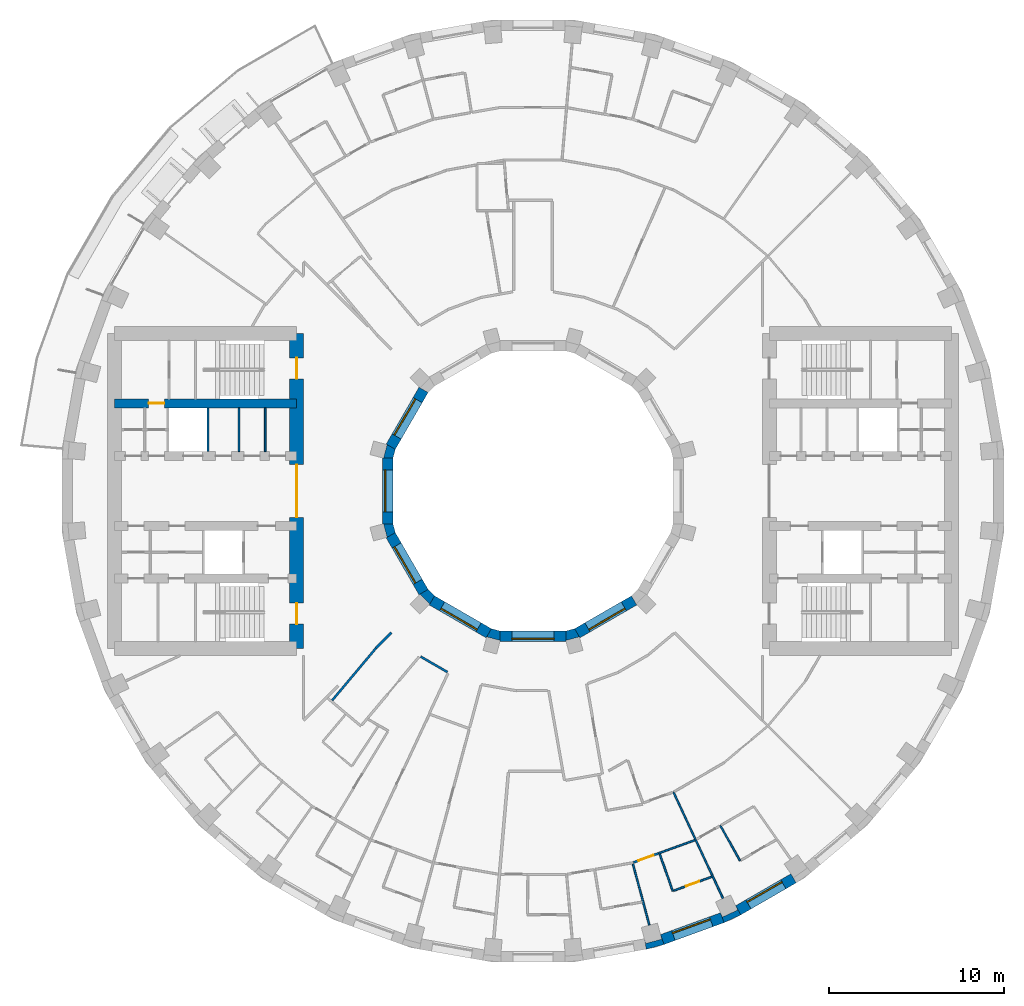
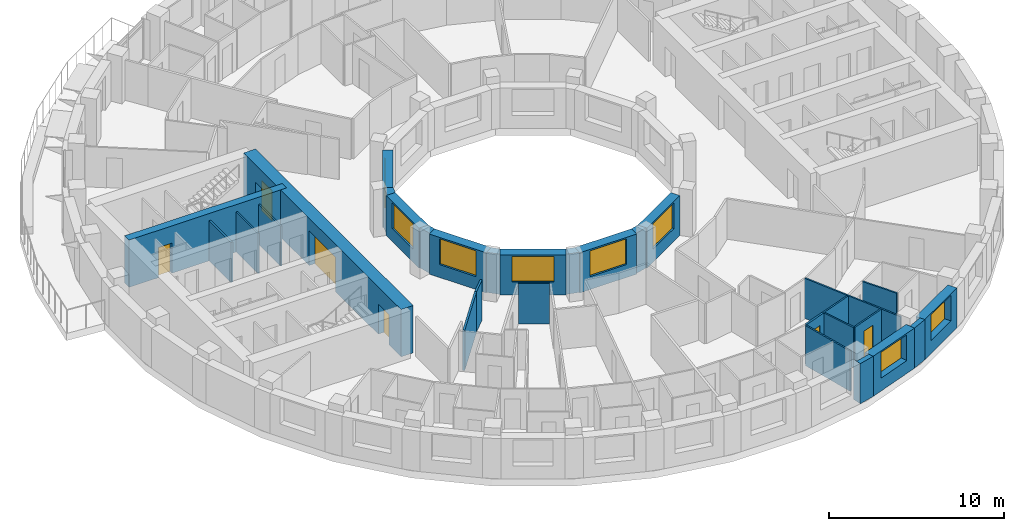
# One storey, part 7 of 14: 30 walls, 8 windows, 6 doors, 14 openings.
"""IFC4 building model written with IfcOpenShell, lengths in metres."""

import ifcopenshell
import ifcopenshell.guid

model = None  # the IFC model being written
_history = None  # IfcOwnerHistory: only IFC2X3 demands one
_inside = {}  # id of a spatial element -> (the spatial element, [elements in it])
_under = {}  # id of a project, library or spatial element -> (it, [spatial elements below it])
_declared = {}  # id of a project -> (the project, [libraries it declares])
_typed = {}  # id of a type object -> (the type object, [elements of that type])
_made_of = {}  # id of a material, layer set ... -> (it, [elements and type objects made of it])


def new_model(schema):
    """Start an empty IFC model of exactly this schema.

    Asked for "IFC4X3", IfcOpenShell would pick the latest addendum, in which some entities
    have other attributes; the version numbers below select the first issue.
    IFC2X3 requires an IfcOwnerHistory on every rooted entity: one is made here for all.
    """
    global model, _history
    if schema == "IFC4X3":
        model = ifcopenshell.file(schema_version=(4, 3, 0, 0))
    else:
        model = ifcopenshell.file(schema=schema)
    _inside.clear()
    _under.clear()
    _declared.clear()
    _typed.clear()
    _made_of.clear()
    _history = None
    if model.schema == "IFC2X3":
        org = make("IfcOrganization", Name="unknown")
        user = make(
            "IfcPersonAndOrganization",
            ThePerson=make("IfcPerson", FamilyName="unknown"),
            TheOrganization=org,
        )
        app = make(
            "IfcApplication",
            ApplicationDeveloper=org,
            Version="unknown",
            ApplicationFullName="unknown",
            ApplicationIdentifier="unknown",
        )
        _history = make(
            "IfcOwnerHistory",
            OwningUser=user,
            OwningApplication=app,
            ChangeAction="ADDED",
            CreationDate=0,
        )
    return model


def make(cls, **values):
    """One entity of the class cls with the attributes given. An attribute that is None is left unset."""
    return model.create_entity(
        cls, **{name: value for name, value in values.items() if value is not None}
    )


def rooted(cls, **values):
    """An entity with a GlobalId (a new one), such as an element, a storey or a relation."""
    return make(cls, GlobalId=ifcopenshell.guid.new(), OwnerHistory=_history, **values)


def si_unit(unit_type, name, prefix=None):
    """IfcSIUnit, for example si_unit("LENGTHUNIT", "METRE", prefix="MILLI")."""
    return make("IfcSIUnit", UnitType=unit_type, Prefix=prefix, Name=name)


def assignment(units):
    """IfcUnitAssignment: the units of a project."""
    return None if units is None else make("IfcUnitAssignment", Units=units)


def point(xyz):
    """IfcCartesianPoint."""
    return None if xyz is None else make("IfcCartesianPoint", Coordinates=xyz)


def direction(xyz):
    """IfcDirection."""
    return None if xyz is None else make("IfcDirection", DirectionRatios=xyz)


def frame(location, z_axis=None, x_axis=None):
    """IfcAxis2Placement3D, a coordinate frame: its origin and axes. An axis left out is left unset."""
    return make(
        "IfcAxis2Placement3D",
        Location=point(location),
        Axis=direction(z_axis),
        RefDirection=direction(x_axis),
    )


def frame_2d(location, x_axis=None):
    """IfcAxis2Placement2D, a coordinate frame in the plane: its origin and x axis."""
    return make(
        "IfcAxis2Placement2D", Location=point(location), RefDirection=direction(x_axis)
    )


def origin():
    """The frame at (0, 0, 0) with its axes left unset."""
    return frame((0.0, 0.0, 0.0))


def place(relative_to, where):
    """IfcLocalPlacement: puts the frame where relative to a parent placement (None: the world)."""
    return make(
        "IfcLocalPlacement", PlacementRelTo=relative_to, RelativePlacement=where
    )


def context(
    kind, dimensions, precision=None, world=None, true_north=None, identifier=None
):
    """IfcGeometricRepresentationContext, for example the 3D "Model" context."""
    return make(
        "IfcGeometricRepresentationContext",
        ContextIdentifier=identifier,
        ContextType=kind,
        CoordinateSpaceDimension=dimensions,
        Precision=precision,
        WorldCoordinateSystem=world,
        TrueNorth=true_north,
    )


def subcontext(parent, identifier, kind, view, scale=None):
    """IfcGeometricRepresentationSubContext, for example "Body" below "Model"."""
    return make(
        "IfcGeometricRepresentationSubContext",
        ContextIdentifier=identifier,
        ContextType=kind,
        ParentContext=parent,
        TargetScale=scale,
        TargetView=view,
    )


def project(units=None, contexts=None):
    """IfcProject with its units and contexts."""
    return rooted(
        "IfcProject",
        Name="project",
        RepresentationContexts=contexts,
        UnitsInContext=assignment(units),
    )


def spatial(cls, under=None, at=None, **own):
    """A site, building, storey or space (cls), placed at a placement, below another one or the project."""
    s = rooted(cls, ObjectPlacement=at, **own)
    if under is not None:
        _under.setdefault(under.id(), (under, []))[1].append(s)
    return s


def polyline(points):
    """IfcPolyline through the points."""
    return make("IfcPolyline", Points=[point(p) for p in points])


def profile(cls, at=None, kind="AREA", **sizes):
    """A parametric profile (cls). Its sizes go by their IFC names, for example OverallWidth=200.0."""
    return make(cls, ProfileType=kind, Position=at, **sizes)


def rectangle(**sizes):
    """IfcRectangleProfileDef."""
    return profile("IfcRectangleProfileDef", **sizes)


def outline(outer, holes=None, kind="AREA"):
    """IfcArbitraryClosedProfileDef: a profile drawn as a closed curve; with holes, ...WithVoids."""
    if holes is None:
        return make("IfcArbitraryClosedProfileDef", ProfileType=kind, OuterCurve=outer)
    return make(
        "IfcArbitraryProfileDefWithVoids",
        ProfileType=kind,
        OuterCurve=outer,
        InnerCurves=holes,
    )


def extrude(swept, where, along, depth):
    """IfcExtrudedAreaSolid: the profile swept, set in the frame where, extruded along a direction by depth."""
    return make(
        "IfcExtrudedAreaSolid",
        SweptArea=swept,
        Position=where,
        ExtrudedDirection=direction(along),
        Depth=depth,
    )


def shape(context_of_items, identifier, shape_type, items):
    """IfcShapeRepresentation: the items that make up one representation, for example the "Body"."""
    return make(
        "IfcShapeRepresentation",
        ContextOfItems=context_of_items,
        RepresentationIdentifier=identifier,
        RepresentationType=shape_type,
        Items=items,
    )


def material(Name=None, Category=None):
    """IfcMaterial."""
    return make("IfcMaterial", Name=Name, Category=Category)


def layer(
    of_material, thickness, ventilated=None, Name=None, Category=None, Priority=None
):
    """IfcMaterialLayer: one layer of a wall or slab, of a material (None: an air gap)."""
    return make(
        "IfcMaterialLayer",
        Material=of_material,
        LayerThickness=thickness,
        IsVentilated=ventilated,
        Name=Name,
        Category=Category,
        Priority=Priority,
    )


def layer_set(layers, Name=None):
    """IfcMaterialLayerSet."""
    return make("IfcMaterialLayerSet", MaterialLayers=layers, LayerSetName=Name)


def made_of(thing, what):
    """Note that an element or type object is made of a material, layer set ...; save() writes the relation."""
    if what is not None:
        _made_of.setdefault(what.id(), (what, []))[1].append(thing)
    return thing


def type_object(cls, material=None, **own):
    """A type object (cls), such as IfcWallType, which elements share."""
    return made_of(rooted(cls, **own), material)


def element(
    cls,
    number,
    at=None,
    inside=None,
    cuts=None,
    type_object=None,
    material=None,
    context=None,
    identifier="Body",
    shape_type=None,
    held_by="IfcProductDefinitionShape",
    body=None,
    shapes=None,
    **own,
):
    """One element of the class cls, such as IfcWall. Its Tag is "e" and its number.

    at: its placement. inside: the storey or other place that contains it. cuts: it is an
    opening in that element (IfcRelVoidsElement). A single representation is given by context,
    identifier, shape_type and body (its items); several are given by shapes. held_by: the class
    of the entity that holds the representations. save() writes the other relations.
    """
    e = rooted(cls, Tag="e%d" % number, ObjectPlacement=at, **own)
    if body is not None:
        shapes = [shape(context, identifier, shape_type, body)]
    if shapes is not None:
        e.Representation = make(held_by, Representations=shapes)
    if inside is not None:
        _inside.setdefault(inside.id(), (inside, []))[1].append(e)
    if cuts is not None:
        rooted(
            "IfcRelVoidsElement", RelatingBuildingElement=cuts, RelatedOpeningElement=e
        )
    if type_object is not None:
        _typed.setdefault(type_object.id(), (type_object, []))[1].append(e)
    return made_of(e, material)


def fill(opening, filler):
    """IfcRelFillsElement: the door or window that sits in an opening."""
    return rooted(
        "IfcRelFillsElement",
        RelatingOpeningElement=opening,
        RelatedBuildingElement=filler,
    )


def aggregate(whole, parts):
    """IfcRelAggregates: a whole, such as a stair, and the parts it consists of."""
    return rooted("IfcRelAggregates", RelatingObject=whole, RelatedObjects=parts)


def save(model, path):
    """Write the relations noted so far, then the file.

    IfcRelAggregates (storeys below a building ...), IfcRelContainedInSpatialStructure (elements
    in a storey), IfcRelDefinesByType, IfcRelAssociatesMaterial and IfcRelDeclares: one each for
    every whole, place, type object, material and project.
    """
    for whole, parts in _under.values():
        aggregate(whole, parts)
    for where, things in _inside.values():
        rooted(
            "IfcRelContainedInSpatialStructure",
            RelatedElements=things,
            RelatingStructure=where,
        )
    for kind, things in _typed.values():
        rooted("IfcRelDefinesByType", RelatedObjects=things, RelatingType=kind)
    for what, things in _made_of.values():
        rooted("IfcRelAssociatesMaterial", RelatedObjects=things, RelatingMaterial=what)
    for by, libraries in _declared.values():
        rooted("IfcRelDeclares", RelatingContext=by, RelatedDefinitions=libraries)
    model.write(path)


model = new_model("IFC4")

# Units and contexts
model_context = context("Model", 3, precision=1e-05, world=origin(), true_north=direction((0.0, 1.0)))
body_context = subcontext(model_context, "Body", "Model", "MODEL_VIEW")
ifc_project = project(units=[si_unit("LENGTHUNIT", "METRE"), si_unit("AREAUNIT", "SQUARE_METRE"), si_unit("VOLUMEUNIT", "CUBIC_METRE"), si_unit("PLANEANGLEUNIT", "RADIAN"), si_unit("MASSUNIT", "GRAM", prefix="KILO")], contexts=[model_context])

# Site, building, storey
site_placement = place(None, origin())
site = spatial("IfcSite", under=ifc_project, at=site_placement, CompositionType="ELEMENT")
building_placement = place(site_placement, origin())
building = spatial("IfcBuilding", under=site, at=building_placement, Name="Saqina Gate Tower", CompositionType="ELEMENT")
storey_placement = place(building_placement, frame((0.0, 0.0, 105.10009765625)))
storey = spatial("IfcBuildingStorey", under=building, at=storey_placement, Name="L29", CompositionType="ELEMENT", Elevation=105.10009765625)

# Walls
ifc_material_1 = material(Name="Brick masonry (buff)", Category="masonry")
wall_type_1 = type_object("IfcWallType", Name="BRICK PIER COPING BUFF", PredefinedType="SOLIDWALL", material=ifc_material_1)
wall_1_placement = place(storey_placement, origin())
element("IfcWall", 1, at=wall_1_placement, inside=storey, type_object=wall_type_1, Name="Pier cap L29 column 29", PredefinedType="SOLIDWALL", context=body_context, shape_type="SweptSolid", body=[
    extrude(outline(polyline([(6.466796875, -26.171875), (7.485595703125, -25.89892578125), (7.2802734375, -25.335205078125), (7.349853515625, -25.5947265625), (6.43212890625, -25.8408203125), (6.36279296875, -25.5810546875), (6.466796875, -26.171875)])), origin(), (0.0, 0.0, 1.0), 2.7998046875),
])
wall_2_placement = place(storey_placement, origin())
element("IfcWall", 2, at=wall_2_placement, inside=storey, type_object=wall_type_1, Name="Pier cap L29 column 30", PredefinedType="SOLIDWALL", context=body_context, shape_type="SweptSolid", body=[
    extrude(outline(polyline([(10.913330078125, -24.6513671875), (11.869140625, -24.205810546875), (11.569091796875, -23.68603515625), (11.6826171875, -23.9296875), (10.82177734375, -24.331298828125), (10.7080078125, -24.08740234375), (10.913330078125, -24.6513671875)])), origin(), (0.0, 0.0, 1.0), 2.7998046875),
])
ifc_material_2 = material(Name="Gypsum board on steel studs", Category="steel")
ifc_layer_1 = layer(ifc_material_2, 0.10009765625)
ifc_layer_set_1 = layer_set([ifc_layer_1], Name="CORE PARTITION")
wall_type_2 = type_object("IfcWallType", Name="CORE PARTITION", PredefinedType="PARTITIONING", material=ifc_layer_set_1)
for number, where, z_axis, x_axis, name in (
    (3, (-15.298095703125, 2.25, 0.0), (0.0, 0.0, 1.0), (0.0, 1.0, 0.0), "L29-CP-W01"),
    (4, (-16.789306640625, 2.25, 0.0), (0.0, 0.0, 1.0), (0.0, 1.0, 0.0), "L29-CP-W02"),
):
    element("IfcWall", number, at=place(storey_placement, frame(where, z_axis=z_axis, x_axis=x_axis)), inside=storey, type_object=wall_type_2, Name=name, PredefinedType="PARTITIONING", context=body_context, shape_type="SweptSolid", body=[
        extrude(rectangle(XDim=2.5, YDim=0.10009765625, at=frame_2d((1.25, 0.0))), origin(), (0.0, 0.0, 1.0), 2.7998046875),
    ])

# Wall, opening, window
ifc_material_3 = material(Name="Brick masonry (buff)", Category="masonry")
ifc_layer_2 = layer(ifc_material_3, 0.60009765625)
ifc_layer_set_2 = layer_set([ifc_layer_2], Name="FW-BRICK-BUFF")
wall_type_3 = type_object("IfcWallType", Name="FW-BRICK-BUFF", PredefinedType="SOLIDWALL", material=ifc_layer_set_2)
wall_3_placement = place(storey_placement, frame((7.3828125, -25.616943359375, 0.0), z_axis=(0.0, 0.0, 1.0), x_axis=(0.939703505393, 0.341990236633, 0.0)))
wall_3 = element("IfcWall", 5, at=wall_3_placement, inside=storey, type_object=wall_type_3, Name="Facade wall L29 facet 29", PredefinedType="SOLIDWALL", context=body_context, shape_type="SweptSolid", body=[
    extrude(rectangle(XDim=3.64794921875, YDim=0.60009765625, at=frame_2d((1.823974609375, 0.0))), origin(), (0.0, 0.0, 1.0), 2.7998046875),
])
opening_1_placement = place(wall_3_placement, frame((0.673828125, 0.0, 0.89990234375)))
opening_1 = element("IfcOpeningElement", 6, at=opening_1_placement, cuts=wall_3, Name="Opening G08-W18", PredefinedType="OPENING", context=body_context, shape_type="SweptSolid", body=[
    extrude(rectangle(XDim=2.300048828125, YDim=1.800048828125, at=frame_2d((1.14990234375, 0.89990234375))), frame((0.0, 0.31201171875, 0.0), z_axis=(0.0, -1.0, 0.0), x_axis=(1.0, 0.0, 0.0)), (0.0, 0.0, 1.0), 0.6240234375),
])
ifc_material_4 = material(Name="Aluminium glazing", Category="aluminium")
window_type_1 = type_object("IfcWindowType", Name="WN-B", PartitioningType="SINGLE_PANEL", PredefinedType="WINDOW", material=ifc_material_4)
window_1_placement = place(opening_1_placement, origin())
window_1 = element("IfcWindow", 7, at=window_1_placement, inside=storey, type_object=window_type_1, Name="Window L29 facet 29", OverallHeight=1.800048828125, OverallWidth=2.300048828125, PartitioningType="SINGLE_PANEL", PredefinedType="WINDOW", context=body_context, shape_type="SweptSolid", body=[
    extrude(rectangle(XDim=2.300048828125, YDim=1.800048828125, at=frame_2d((1.14990234375, 0.89990234375))), frame((0.0, 0.179931640625, 0.0), z_axis=(0.0, -1.0, 0.0), x_axis=(1.0, 0.0, 0.0)), (0.0, 0.0, 1.0), 0.06005859375),
])
fill(opening_1, window_1)

wall_4_placement = place(storey_placement, frame((11.718994140625, -23.94580078125, 0.0), z_axis=(0.0, 0.0, 1.0), x_axis=(0.866051847062, 0.499954196102, 0.0)))
wall_4 = element("IfcWall", 8, at=wall_4_placement, inside=storey, type_object=wall_type_3, Name="Facade wall L29 facet 30", PredefinedType="SOLIDWALL", context=body_context, shape_type="SweptSolid", body=[
    extrude(rectangle(XDim=3.647705078125, YDim=0.60009765625, at=frame_2d((1.82373046875, 0.0))), origin(), (0.0, 0.0, 1.0), 2.7998046875),
])
opening_2_placement = place(wall_4_placement, frame((0.673828125, 0.0, 0.89990234375)))
opening_2 = element("IfcOpeningElement", 9, at=opening_2_placement, cuts=wall_4, Name="Opening G08-W19", PredefinedType="OPENING", context=body_context, shape_type="SweptSolid", body=[
    extrude(rectangle(XDim=2.300048828125, YDim=1.800048828125, at=frame_2d((1.14990234375, 0.89990234375))), frame((0.0, 0.31201171875, 0.0), z_axis=(0.0, -1.0, 0.0), x_axis=(1.0, 0.0, 0.0)), (0.0, 0.0, 1.0), 0.6240234375),
])
window_2_placement = place(opening_2_placement, origin())
window_2 = element("IfcWindow", 10, at=window_2_placement, inside=storey, type_object=window_type_1, Name="Window L29 facet 30", OverallHeight=1.800048828125, OverallWidth=2.300048828125, PartitioningType="SINGLE_PANEL", PredefinedType="WINDOW", context=body_context, shape_type="SweptSolid", body=[
    extrude(rectangle(XDim=2.300048828125, YDim=1.800048828125, at=frame_2d((1.14990234375, 0.89990234375))), frame((0.0, 0.179931640625, 0.0), z_axis=(0.0, -1.0, 0.0), x_axis=(1.0, 0.0, 0.0)), (0.0, 0.0, 1.0), 0.06005859375),
])
fill(opening_2, window_2)

ifc_material_5 = material(Name="Glazed ceramic tile", Category="ceramic")
ifc_layer_3 = layer(ifc_material_5, 0.60009765625)
ifc_layer_set_3 = layer_set([ifc_layer_3], Name="IW-TILE")
wall_type_4 = type_object("IfcWallType", Name="IW-TILE", PredefinedType="SOLIDWALL", material=ifc_layer_set_3)
wall_5_placement = place(storey_placement, frame((-6.251220703125, 5.772705078125, 0.0), z_axis=(0.0, 0.0, 1.0), x_axis=(-0.499964958637, -0.86604563398, 0.0)))
wall_5 = element("IfcWall", 11, at=wall_5_placement, inside=storey, type_object=wall_type_4, Name="Well wall L29 facet 5", PredefinedType="SOLIDWALL", context=body_context, shape_type="SweptSolid", body=[
    extrude(rectangle(XDim=3.747314453125, YDim=0.60009765625, at=frame_2d((1.87353515625, 0.0))), origin(), (0.0, 0.0, 1.0), 2.7998046875),
])
opening_3_placement = place(wall_5_placement, frame((0.673583984375, 0.0, 0.89990234375)))
opening_3 = element("IfcOpeningElement", 12, at=opening_3_placement, cuts=wall_5, Name="Opening G08-W27", PredefinedType="OPENING", context=body_context, shape_type="SweptSolid", body=[
    extrude(rectangle(XDim=2.39990234375, YDim=1.800048828125, at=frame_2d((1.199951171875, 0.89990234375))), frame((0.0, 0.31201171875, 0.0), z_axis=(0.0, -1.0, 0.0), x_axis=(1.0, 0.0, 0.0)), (0.0, 0.0, 1.0), 0.6240234375),
])
ifc_material_6 = material(Name="Aluminium glazing", Category="aluminium")
window_type_2 = type_object("IfcWindowType", Name="WN-W", PartitioningType="SINGLE_PANEL", PredefinedType="WINDOW", material=ifc_material_6)
window_3_placement = place(opening_3_placement, origin())
window_3 = element("IfcWindow", 13, at=window_3_placement, inside=storey, type_object=window_type_2, Name="Well window L29 facet 5", OverallHeight=1.800048828125, OverallWidth=2.39990234375, PartitioningType="SINGLE_PANEL", PredefinedType="WINDOW", context=body_context, shape_type="SweptSolid", body=[
    extrude(rectangle(XDim=2.39990234375, YDim=1.800048828125, at=frame_2d((1.199951171875, 0.89990234375))), frame((0.0, -0.119873046875, 0.0), z_axis=(0.0, -1.0, 0.0), x_axis=(1.0, 0.0, 0.0)), (0.0, 0.0, 1.0), 0.06005859375),
])
fill(opening_3, window_3)

wall_6_placement = place(storey_placement, frame((-8.300048828125, 1.873779296875, 0.0), z_axis=(0.0, 0.0, 1.0), x_axis=(0.0, -1.0, 0.0)))
wall_6 = element("IfcWall", 14, at=wall_6_placement, inside=storey, type_object=wall_type_4, Name="Well wall L29 facet 6", PredefinedType="SOLIDWALL", context=body_context, shape_type="SweptSolid", body=[
    extrude(rectangle(XDim=3.74755859375, YDim=0.60009765625, at=frame_2d((1.873779296875, 0.0))), origin(), (0.0, 0.0, 1.0), 2.7998046875),
])
opening_4_placement = place(wall_6_placement, frame((0.673583984375, 0.0, 0.89990234375)))
opening_4 = element("IfcOpeningElement", 15, at=opening_4_placement, cuts=wall_6, Name="Opening G08-W28", PredefinedType="OPENING", context=body_context, shape_type="SweptSolid", body=[
    extrude(rectangle(XDim=2.39990234375, YDim=1.800048828125, at=frame_2d((1.199951171875, 0.89990234375))), frame((0.0, 0.31201171875, 0.0), z_axis=(0.0, -1.0, 0.0), x_axis=(1.0, 0.0, 0.0)), (0.0, 0.0, 1.0), 0.6240234375),
])
window_4_placement = place(opening_4_placement, origin())
window_4 = element("IfcWindow", 16, at=window_4_placement, inside=storey, type_object=window_type_2, Name="Well window L29 facet 6", OverallHeight=1.800048828125, OverallWidth=2.39990234375, PartitioningType="SINGLE_PANEL", PredefinedType="WINDOW", context=body_context, shape_type="SweptSolid", body=[
    extrude(rectangle(XDim=2.39990234375, YDim=1.800048828125, at=frame_2d((1.199951171875, 0.89990234375))), frame((0.0, -0.119873046875, 0.0), z_axis=(0.0, -1.0, 0.0), x_axis=(1.0, 0.0, 0.0)), (0.0, 0.0, 1.0), 0.06005859375),
])
fill(opening_4, window_4)

wall_7_placement = place(storey_placement, frame((-8.124755859375, -2.52734375, 0.0), z_axis=(0.0, 0.0, 1.0), x_axis=(0.499964958637, -0.86604563398, 0.0)))
wall_7 = element("IfcWall", 17, at=wall_7_placement, inside=storey, type_object=wall_type_4, Name="Well wall L29 facet 7", PredefinedType="SOLIDWALL", context=body_context, shape_type="SweptSolid", body=[
    extrude(rectangle(XDim=3.747314453125, YDim=0.60009765625, at=frame_2d((1.87353515625, 0.0))), origin(), (0.0, 0.0, 1.0), 2.7998046875),
])
opening_5_placement = place(wall_7_placement, frame((0.673583984375, 0.0, 0.89990234375)))
opening_5 = element("IfcOpeningElement", 18, at=opening_5_placement, cuts=wall_7, Name="Opening G08-W29", PredefinedType="OPENING", context=body_context, shape_type="SweptSolid", body=[
    extrude(rectangle(XDim=2.39990234375, YDim=1.800048828125, at=frame_2d((1.199951171875, 0.89990234375))), frame((0.0, 0.31201171875, 0.0), z_axis=(0.0, -1.0, 0.0), x_axis=(1.0, 0.0, 0.0)), (0.0, 0.0, 1.0), 0.6240234375),
])
window_5_placement = place(opening_5_placement, origin())
window_5 = element("IfcWindow", 19, at=window_5_placement, inside=storey, type_object=window_type_2, Name="Well window L29 facet 7", OverallHeight=1.800048828125, OverallWidth=2.39990234375, PartitioningType="SINGLE_PANEL", PredefinedType="WINDOW", context=body_context, shape_type="SweptSolid", body=[
    extrude(rectangle(XDim=2.39990234375, YDim=1.800048828125, at=frame_2d((1.199951171875, 0.89990234375))), frame((0.0, -0.119873046875, 0.0), z_axis=(0.0, -1.0, 0.0), x_axis=(1.0, 0.0, 0.0)), (0.0, 0.0, 1.0), 0.06005859375),
])
fill(opening_5, window_5)

wall_8_placement = place(storey_placement, frame((-5.772705078125, -6.251220703125, 0.0), z_axis=(0.0, 0.0, 1.0), x_axis=(0.86604563398, -0.499964958637, 0.0)))
wall_8 = element("IfcWall", 20, at=wall_8_placement, inside=storey, type_object=wall_type_4, Name="Well wall L29 facet 8", PredefinedType="SOLIDWALL", context=body_context, shape_type="SweptSolid", body=[
    extrude(rectangle(XDim=3.747314453125, YDim=0.60009765625, at=frame_2d((1.87353515625, 0.0))), origin(), (0.0, 0.0, 1.0), 2.7998046875),
])
opening_6_placement = place(wall_8_placement, frame((0.673583984375, 0.0, 0.89990234375)))
opening_6 = element("IfcOpeningElement", 21, at=opening_6_placement, cuts=wall_8, Name="Opening G08-W30", PredefinedType="OPENING", context=body_context, shape_type="SweptSolid", body=[
    extrude(rectangle(XDim=2.39990234375, YDim=1.800048828125, at=frame_2d((1.199951171875, 0.89990234375))), frame((0.0, 0.31201171875, 0.0), z_axis=(0.0, -1.0, 0.0), x_axis=(1.0, 0.0, 0.0)), (0.0, 0.0, 1.0), 0.6240234375),
])
window_6_placement = place(opening_6_placement, origin())
window_6 = element("IfcWindow", 22, at=window_6_placement, inside=storey, type_object=window_type_2, Name="Well window L29 facet 8", OverallHeight=1.800048828125, OverallWidth=2.39990234375, PartitioningType="SINGLE_PANEL", PredefinedType="WINDOW", context=body_context, shape_type="SweptSolid", body=[
    extrude(rectangle(XDim=2.39990234375, YDim=1.800048828125, at=frame_2d((1.199951171875, 0.89990234375))), frame((0.0, -0.119873046875, 0.0), z_axis=(0.0, -1.0, 0.0), x_axis=(1.0, 0.0, 0.0)), (0.0, 0.0, 1.0), 0.06005859375),
])
fill(opening_6, window_6)

wall_9_placement = place(storey_placement, frame((-1.873779296875, -8.300048828125, 0.0), z_axis=(0.0, 0.0, 1.0), x_axis=(1.0, 0.0, 0.0)))
wall_9 = element("IfcWall", 23, at=wall_9_placement, inside=storey, type_object=wall_type_4, Name="Well wall L29 facet 9", PredefinedType="SOLIDWALL", context=body_context, shape_type="SweptSolid", body=[
    extrude(rectangle(XDim=3.74755859375, YDim=0.60009765625, at=frame_2d((1.873779296875, 0.0))), origin(), (0.0, 0.0, 1.0), 2.7998046875),
])
opening_7_placement = place(wall_9_placement, frame((0.673583984375, 0.0, 0.89990234375)))
opening_7 = element("IfcOpeningElement", 24, at=opening_7_placement, cuts=wall_9, Name="Opening G08-W31", PredefinedType="OPENING", context=body_context, shape_type="SweptSolid", body=[
    extrude(rectangle(XDim=2.39990234375, YDim=1.800048828125, at=frame_2d((1.199951171875, 0.89990234375))), frame((0.0, 0.31201171875, 0.0), z_axis=(0.0, -1.0, 0.0), x_axis=(1.0, 0.0, 0.0)), (0.0, 0.0, 1.0), 0.6240234375),
])
window_7_placement = place(opening_7_placement, origin())
window_7 = element("IfcWindow", 25, at=window_7_placement, inside=storey, type_object=window_type_2, Name="Well window L29 facet 9", OverallHeight=1.800048828125, OverallWidth=2.39990234375, PartitioningType="SINGLE_PANEL", PredefinedType="WINDOW", context=body_context, shape_type="SweptSolid", body=[
    extrude(rectangle(XDim=2.39990234375, YDim=1.800048828125, at=frame_2d((1.199951171875, 0.89990234375))), frame((0.0, -0.119873046875, 0.0), z_axis=(0.0, -1.0, 0.0), x_axis=(1.0, 0.0, 0.0)), (0.0, 0.0, 1.0), 0.06005859375),
])
fill(opening_7, window_7)

wall_10_placement = place(storey_placement, frame((2.52734375, -8.124755859375, 0.0), z_axis=(0.0, 0.0, 1.0), x_axis=(0.86604563398, 0.499964958637, 0.0)))
wall_10 = element("IfcWall", 26, at=wall_10_placement, inside=storey, type_object=wall_type_4, Name="Well wall L29 facet 10", PredefinedType="SOLIDWALL", context=body_context, shape_type="SweptSolid", body=[
    extrude(rectangle(XDim=3.747314453125, YDim=0.60009765625, at=frame_2d((1.87353515625, 0.0))), origin(), (0.0, 0.0, 1.0), 2.7998046875),
])
opening_8_placement = place(wall_10_placement, frame((0.673583984375, 0.0, 0.89990234375)))
opening_8 = element("IfcOpeningElement", 27, at=opening_8_placement, cuts=wall_10, Name="Opening G08-W32", PredefinedType="OPENING", context=body_context, shape_type="SweptSolid", body=[
    extrude(rectangle(XDim=2.39990234375, YDim=1.800048828125, at=frame_2d((1.199951171875, 0.89990234375))), frame((0.0, 0.31201171875, 0.0), z_axis=(0.0, -1.0, 0.0), x_axis=(1.0, 0.0, 0.0)), (0.0, 0.0, 1.0), 0.6240234375),
])
window_8_placement = place(opening_8_placement, origin())
window_8 = element("IfcWindow", 28, at=window_8_placement, inside=storey, type_object=window_type_2, Name="Well window L29 facet 10", OverallHeight=1.800048828125, OverallWidth=2.39990234375, PartitioningType="SINGLE_PANEL", PredefinedType="WINDOW", context=body_context, shape_type="SweptSolid", body=[
    extrude(rectangle(XDim=2.39990234375, YDim=1.800048828125, at=frame_2d((1.199951171875, 0.89990234375))), frame((0.0, -0.119873046875, 0.0), z_axis=(0.0, -1.0, 0.0), x_axis=(1.0, 0.0, 0.0)), (0.0, 0.0, 1.0), 0.06005859375),
])
fill(opening_8, window_8)

# Walls
ifc_material_7 = material(Name="Gypsum board on steel studs, 100 mm", Category="steel")
ifc_layer_4 = layer(ifc_material_7, 0.10009765625)
ifc_layer_set_4 = layer_set([ifc_layer_4], Name="PARTITION 100")
wall_type_5 = type_object("IfcWallType", Name="PARTITION 100", PredefinedType="PARTITIONING", material=ifc_layer_set_4)
wall_11_placement = place(storey_placement, frame((5.70556640625, -21.292236328125, 0.0), z_axis=(0.0, 0.0, 1.0), x_axis=(0.258396854417, -0.966038853063, 0.0)))
element("IfcWall", 29, at=wall_11_placement, inside=storey, type_object=wall_type_5, Name="PARTITION PW3-08", PredefinedType="PARTITIONING", context=body_context, shape_type="SweptSolid", body=[
    extrude(rectangle(XDim=3.62158203125, YDim=0.10009765625, at=frame_2d((1.810791015625, 0.0))), origin(), (0.0, 0.0, 1.0), 2.7998046875),
])
wall_12_placement = place(storey_placement, frame((7.234375, -20.72314453125, 0.0), z_axis=(0.0, 0.0, 1.0), x_axis=(0.329707399535, -0.944083169372, 0.0)))
element("IfcWall", 30, at=wall_12_placement, inside=storey, type_object=wall_type_5, Name="PARTITION PW3-09", PredefinedType="PARTITIONING", context=body_context, shape_type="SweptSolid", body=[
    extrude(rectangle(XDim=2.24951171875, YDim=0.10009765625, at=frame_2d((1.124755859375, 0.0))), origin(), (0.0, 0.0, 1.0), 2.7998046875),
])
wall_13_placement = place(storey_placement, frame((8.01806640625, -17.194091796875, 0.0), z_axis=(0.0, 0.0, 1.0), x_axis=(0.422490057257, -0.906367558731, 0.0)))
element("IfcWall", 31, at=wall_13_placement, inside=storey, type_object=wall_type_5, Name="PARTITION PW3-13", PredefinedType="PARTITIONING", context=body_context, shape_type="SweptSolid", body=[
    extrude(rectangle(XDim=6.693359375, YDim=0.10009765625, at=frame_2d((3.3466796875, 0.0))), origin(), (0.0, 0.0, 1.0), 2.7998046875),
])
wall_14_placement = place(storey_placement, frame((10.697998046875, -19.10791015625, 0.0), z_axis=(0.0, 0.0, 1.0), x_axis=(0.488622759198, -0.872495157117, 0.0)))
element("IfcWall", 32, at=wall_14_placement, inside=storey, type_object=wall_type_5, Name="PARTITION PW3-15", PredefinedType="PARTITIONING", context=body_context, shape_type="SweptSolid", body=[
    extrude(rectangle(XDim=2.30029296875, YDim=0.10009765625, at=frame_2d((1.150146484375, 0.0))), origin(), (0.0, 0.0, 1.0), 2.7998046875),
])

# Wall, opening, door
wall_15_placement = place(storey_placement, frame((8.02294921875, -22.829833984375, 0.0), z_axis=(0.0, 0.0, 1.0), x_axis=(0.939707949959, 0.341978023831, 0.0)))
wall_15 = element("IfcWall", 33, at=wall_15_placement, inside=storey, type_object=wall_type_5, Name="PARTITION PW3-54", PredefinedType="PARTITIONING", context=body_context, shape_type="SweptSolid", body=[
    extrude(rectangle(XDim=2.3359375, YDim=0.10009765625, at=frame_2d((1.16796875, 0.0))), origin(), (0.0, 0.0, 1.0), 2.7998046875),
])
opening_9_placement = place(wall_15_placement, frame((0.767822265625, 0.0, 0.0)))
opening_9 = element("IfcOpeningElement", 34, at=opening_9_placement, cuts=wall_15, Name="Opening G08-D44", PredefinedType="OPENING", context=body_context, shape_type="SweptSolid", body=[
    extrude(rectangle(XDim=0.800048828125, YDim=2.10009765625, at=frame_2d((0.39990234375, 1.050048828125))), frame((0.0, 0.06201171875, 0.0), z_axis=(0.0, -1.0, 0.0), x_axis=(1.0, 0.0, 0.0)), (0.0, 0.0, 1.0), 0.1240234375),
])
ifc_material_8 = material(Name="Timber door leaf, 800 mm", Category="wood")
door_type_1 = type_object("IfcDoorType", Name="DOOR 800 TIMBER", OperationType="SINGLE_SWING_LEFT", PredefinedType="DOOR", material=ifc_material_8)
door_1_placement = place(opening_9_placement, frame((0.800048828125, 0.0, 0.0), z_axis=(0.0, 0.0, 1.0), x_axis=(-1.0, 0.0, 0.0)))
door_1 = element("IfcDoor", 35, at=door_1_placement, inside=storey, type_object=door_type_1, Name="DOOR G08-D44", OperationType="SINGLE_SWING_RIGHT", OverallHeight=2.10009765625, OverallWidth=0.800048828125, PredefinedType="DOOR", context=body_context, shape_type="SweptSolid", body=[
    extrude(rectangle(XDim=0.800048828125, YDim=2.10009765625, at=frame_2d((0.39990234375, 1.050048828125))), frame((0.0, 0.02490234375, 0.0), z_axis=(0.0, -1.0, 0.0), x_axis=(1.0, 0.0, 0.0)), (0.0, 0.0, 1.0), 0.050048828125),
])
fill(opening_9, door_1)

# Walls
wall_16_placement = place(storey_placement, frame((7.171142578125, -20.693115234375, 0.0), z_axis=(0.0, 0.0, 1.0), x_axis=(0.939573404597, 0.342347509665, 0.0)))
element("IfcWall", 36, at=wall_16_placement, inside=storey, type_object=wall_type_5, Name="PARTITION PW3-55", PredefinedType="PARTITIONING", context=body_context, shape_type="SweptSolid", body=[
    extrude(rectangle(XDim=2.205078125, YDim=0.10009765625, at=frame_2d((1.1025390625, 0.0))), origin(), (0.0, 0.0, 1.0), 2.7998046875),
])
ifc_material_9 = material(Name="Gypsum board on steel studs, 125 mm, fire rated", Category="steel")
ifc_layer_5 = layer(ifc_material_9, 0.125)
ifc_layer_set_5 = layer_set([ifc_layer_5], Name="PARTITION EI 30 125")
wall_type_6 = type_object("IfcWallType", Name="PARTITION EI 30 125", PredefinedType="PARTITIONING", material=ifc_layer_set_5)
wall_17_placement = place(storey_placement, frame((-6.42138671875, -9.456298828125, 0.0), z_axis=(0.0, 0.0, 1.0), x_axis=(0.866118896865, -0.499838030259, 0.0)))
element("IfcWall", 37, at=wall_17_placement, inside=storey, type_object=wall_type_6, Name="PARTITION PW1-16", PredefinedType="PARTITIONING", context=body_context, shape_type="SweptSolid", body=[
    extrude(rectangle(XDim=1.767578125, YDim=0.125, at=frame_2d((0.8837890625, 0.0))), origin(), (0.0, 0.0, 1.0), 2.7998046875),
])

# Wall, opening, door
wall_18_placement = place(storey_placement, frame((5.736083984375, -21.21484375, 0.0), z_axis=(0.0, 0.0, 1.0), x_axis=(0.939798092341, 0.34173022347, 0.0)))
wall_18 = element("IfcWall", 38, at=wall_18_placement, inside=storey, type_object=wall_type_6, Name="PARTITION PW1-34", PredefinedType="PARTITIONING", context=body_context, shape_type="SweptSolid", body=[
    extrude(rectangle(XDim=1.526611328125, YDim=0.125, at=frame_2d((0.76318359375, 0.0))), origin(), (0.0, 0.0, 1.0), 2.7998046875),
])
opening_10_placement = place(wall_18_placement, frame((0.31396484375, 0.0, 0.0)))
opening_10 = element("IfcOpeningElement", 39, at=opening_10_placement, cuts=wall_18, Name="Opening G08-D42", PredefinedType="OPENING", context=body_context, shape_type="SweptSolid", body=[
    extrude(rectangle(XDim=0.89990234375, YDim=2.10009765625, at=frame_2d((0.449951171875, 1.050048828125))), frame((0.0, 0.074462890625, 0.0), z_axis=(0.0, -1.0, 0.0), x_axis=(1.0, 0.0, 0.0)), (0.0, 0.0, 1.0), 0.14892578125),
])
ifc_material_10 = material(Name="Fire door leaf EI 30, 900 mm")
door_type_2 = type_object("IfcDoorType", Name="DOOR 900 EI 30", OperationType="SINGLE_SWING_LEFT", PredefinedType="DOOR", material=ifc_material_10)
door_2_placement = place(opening_10_placement, origin())
door_2 = element("IfcDoor", 40, at=door_2_placement, inside=storey, type_object=door_type_2, Name="DOOR G08-D42", OperationType="SINGLE_SWING_LEFT", OverallHeight=2.10009765625, OverallWidth=0.89990234375, PredefinedType="DOOR", context=body_context, shape_type="SweptSolid", body=[
    extrude(rectangle(XDim=0.89990234375, YDim=2.10009765625, at=frame_2d((0.449951171875, 1.050048828125))), frame((0.0, 0.02490234375, 0.0), z_axis=(0.0, -1.0, 0.0), x_axis=(1.0, 0.0, 0.0)), (0.0, 0.0, 1.0), 0.050048828125),
])
fill(opening_10, door_2)

# Walls
wall_19_placement = place(storey_placement, frame((-8.967529296875, -8.967529296875, 0.0), z_axis=(0.0, 0.0, 1.0), x_axis=(0.707106781187, 0.707106781187, 0.0)))
element("IfcWall", 41, at=wall_19_placement, inside=storey, type_object=wall_type_6, Name="PARTITION PW1-46", PredefinedType="PARTITIONING", context=body_context, shape_type="SweptSolid", body=[
    extrude(rectangle(XDim=1.238037109375, YDim=0.125, at=frame_2d((0.619140625, 0.0))), origin(), (0.0, 0.0, 1.0), 2.7998046875),
])
wall_20_placement = place(storey_placement, frame((-11.472900390625, -11.961181640625, 0.0), z_axis=(0.0, 0.0, 1.0), x_axis=(0.642813583638, 0.766022647636, 0.0)))
element("IfcWall", 42, at=wall_20_placement, inside=storey, type_object=wall_type_6, Name="PARTITION PW1-49", PredefinedType="PARTITIONING", context=body_context, shape_type="SweptSolid", body=[
    extrude(rectangle(XDim=3.903564453125, YDim=0.125, at=frame_2d((1.95166015625, 0.0))), origin(), (0.0, 0.0, 1.0), 2.7998046875),
])
ifc_material_11 = material(Name="Autoclaved aerated concrete block", Category="concrete")
ifc_layer_6 = layer(ifc_material_11, 0.1201171875)
ifc_layer_set_6 = layer_set([ifc_layer_6], Name="SHAFT PARTITION")
wall_type_7 = type_object("IfcWallType", Name="SHAFT PARTITION", PredefinedType="PARTITIONING", material=ifc_layer_set_6)
wall_21_placement = place(storey_placement, frame((-18.56005859375, 2.25, 0.0), z_axis=(0.0, 0.0, 1.0), x_axis=(0.0, 1.0, 0.0)))
element("IfcWall", 43, at=wall_21_placement, inside=storey, type_object=wall_type_7, Name="L29-CP-W03", PredefinedType="PARTITIONING", context=body_context, shape_type="SweptSolid", body=[
    extrude(rectangle(XDim=2.5, YDim=0.1201171875, at=frame_2d((1.25, 0.0))), origin(), (0.0, 0.0, 1.0), 2.7998046875),
])

# Wall, opening, door
ifc_material_12 = material(Name="Concrete C70/85", Category="concrete")
ifc_layer_7 = layer(ifc_material_12, 0.5)
ifc_layer_set_7 = layer_set([ifc_layer_7], Name="Concrete C70/85")
wall_type_8 = type_object("IfcWallType", Name="STR-CORE WALL-B-I", PredefinedType="SHEAR", material=ifc_layer_set_7)
wall_22_placement = place(storey_placement, frame((-13.5, 5.0, 0.0), z_axis=(0.0, 0.0, 1.0), x_axis=(-1.0, 0.0, 0.0)))
wall_22 = element("IfcWall", 44, at=wall_22_placement, inside=storey, type_object=wall_type_8, Name="CORE WALL L29 W-X1", PredefinedType="SHEAR", context=body_context, shape_type="SweptSolid", body=[
    extrude(rectangle(XDim=10.39990234375, YDim=0.5, at=frame_2d((5.199951171875, 0.0))), origin(), (0.0, 0.0, 1.0), 3.2998046875),
])
opening_11_placement = place(wall_22_placement, frame((7.554931640625, 0.0, 0.0)))
opening_11 = element("IfcOpeningElement", 45, at=opening_11_placement, cuts=wall_22, Name="Opening G08-D121", PredefinedType="OPENING", context=body_context, shape_type="SweptSolid", body=[
    extrude(rectangle(XDim=0.89990234375, YDim=2.10009765625, at=frame_2d((0.449951171875, 1.050048828125))), frame((0.0, 0.261962890625, 0.0), z_axis=(0.0, -1.0, 0.0), x_axis=(1.0, 0.0, 0.0)), (0.0, 0.0, 1.0), 0.52392578125),
])
ifc_material_13 = material(Name="Steel-framed fire door leaf, EI 60", Category="steel")
door_type_3 = type_object("IfcDoorType", Name="SERVICE ROOM DOOR 900", OperationType="SINGLE_SWING_LEFT", PredefinedType="DOOR", material=ifc_material_13)
door_3_placement = place(opening_11_placement, frame((0.89990234375, 0.0, 0.0), z_axis=(0.0, 0.0, 1.0), x_axis=(-1.0, 0.0, 0.0)))
door_3 = element("IfcDoor", 46, at=door_3_placement, inside=storey, type_object=door_type_3, Name="L29-CD-W32", OperationType="SINGLE_SWING_RIGHT", OverallHeight=2.10009765625, OverallWidth=0.89990234375, PredefinedType="DOOR", context=body_context, shape_type="SweptSolid", body=[
    extrude(rectangle(XDim=0.89990234375, YDim=2.10009765625, at=frame_2d((0.449951171875, 1.050048828125))), frame((0.0, 0.02490234375, 0.0), z_axis=(0.0, -1.0, 0.0), x_axis=(1.0, 0.0, 0.0)), (0.0, 0.0, 1.0), 0.050048828125),
])
fill(opening_11, door_3)

# Wall, openings, doors
ifc_material_14 = material(Name="Concrete C70/85", Category="concrete")
ifc_layer_8 = layer(ifc_material_14, 0.800048828125)
ifc_layer_set_8 = layer_set([ifc_layer_8], Name="Concrete C70/85")
wall_type_9 = type_object("IfcWallType", Name="STR-CORE WALL-B-O", PredefinedType="SHEAR", material=ifc_layer_set_8)
wall_23_placement = place(storey_placement, frame((-13.5, -9.0, 0.0), z_axis=(0.0, 0.0, 1.0), x_axis=(0.0, 1.0, 0.0)))
wall_23 = element("IfcWall", 47, at=wall_23_placement, inside=storey, type_object=wall_type_9, Name="CORE WALL L29 W-W1", PredefinedType="SHEAR", context=body_context, shape_type="SweptSolid", body=[
    extrude(rectangle(XDim=18.0, YDim=0.800048828125, at=frame_2d((9.0, 0.0))), origin(), (0.0, 0.0, 1.0), 3.2998046875),
])
opening_12_placement = place(wall_23_placement, frame((15.39990234375, 0.0, 0.0)))
opening_12 = element("IfcOpeningElement", 48, at=opening_12_placement, cuts=wall_23, Name="Opening G08-D127", PredefinedType="OPENING", context=body_context, shape_type="SweptSolid", body=[
    extrude(rectangle(XDim=1.199951171875, YDim=2.10009765625, at=frame_2d((0.60009765625, 1.050048828125))), frame((0.0, 0.412109375, 0.0), z_axis=(0.0, -1.0, 0.0), x_axis=(1.0, 0.0, 0.0)), (0.0, 0.0, 1.0), 0.823974609375),
])
opening_13_placement = place(wall_23_placement, frame((1.39990234375, 0.0, 0.0)))
opening_13 = element("IfcOpeningElement", 49, at=opening_13_placement, cuts=wall_23, Name="Opening G08-D128", PredefinedType="OPENING", context=body_context, shape_type="SweptSolid", body=[
    extrude(rectangle(XDim=1.199951171875, YDim=2.10009765625, at=frame_2d((0.60009765625, 1.050048828125))), frame((0.0, 0.412109375, 0.0), z_axis=(0.0, -1.0, 0.0), x_axis=(1.0, 0.0, 0.0)), (0.0, 0.0, 1.0), 0.823974609375),
])
opening_14_placement = place(wall_23_placement, frame((7.5, 0.0, 0.0)))
opening_14 = element("IfcOpeningElement", 50, at=opening_14_placement, cuts=wall_23, Name="Opening G08-D129", PredefinedType="OPENING", context=body_context, shape_type="SweptSolid", body=[
    extrude(rectangle(XDim=3.0, YDim=2.39990234375, at=frame_2d((1.5, 1.199951171875))), frame((0.0, 0.412109375, 0.0), z_axis=(0.0, -1.0, 0.0), x_axis=(1.0, 0.0, 0.0)), (0.0, 0.0, 1.0), 0.823974609375),
])
ifc_material_15 = material(Name="Steel", Category="steel")
door_type_4 = type_object("IfcDoorType", Name="FIRE DOOR EI 60", OperationType="SINGLE_SWING_LEFT", PredefinedType="DOOR", material=ifc_material_15)
door_4_placement = place(opening_12_placement, origin())
door_4 = element("IfcDoor", 51, at=door_4_placement, inside=storey, type_object=door_type_4, Name="L29-CD-W38", OperationType="SINGLE_SWING_RIGHT", OverallHeight=2.10009765625, OverallWidth=1.199951171875, PredefinedType="DOOR", context=body_context, shape_type="SweptSolid", body=[
    extrude(rectangle(XDim=1.199951171875, YDim=2.10009765625, at=frame_2d((0.60009765625, 1.050048828125))), frame((0.0, 0.02490234375, 0.0), z_axis=(0.0, -1.0, 0.0), x_axis=(1.0, 0.0, 0.0)), (0.0, 0.0, 1.0), 0.050048828125),
])
fill(opening_12, door_4)
door_5_placement = place(opening_13_placement, origin())
door_5 = element("IfcDoor", 52, at=door_5_placement, inside=storey, type_object=door_type_4, Name="L29-CD-W39", OperationType="SINGLE_SWING_LEFT", OverallHeight=2.10009765625, OverallWidth=1.199951171875, PredefinedType="DOOR", context=body_context, shape_type="SweptSolid", body=[
    extrude(rectangle(XDim=1.199951171875, YDim=2.10009765625, at=frame_2d((0.60009765625, 1.050048828125))), frame((0.0, 0.02490234375, 0.0), z_axis=(0.0, -1.0, 0.0), x_axis=(1.0, 0.0, 0.0)), (0.0, 0.0, 1.0), 0.050048828125),
])
fill(opening_13, door_5)
ifc_material_16 = material(Name="Steel and fire-resisting glass", Category="steel")
door_type_5 = type_object("IfcDoorType", Name="LOBBY SCREEN DOOR", OperationType="DOUBLE_DOOR_SLIDING", PredefinedType="DOOR", material=ifc_material_16)
door_6_placement = place(opening_14_placement, origin())
door_6 = element("IfcDoor", 53, at=door_6_placement, inside=storey, type_object=door_type_5, Name="L29-CD-W40", OperationType="DOUBLE_DOOR_SLIDING", OverallHeight=2.39990234375, OverallWidth=3.0, PredefinedType="DOOR", context=body_context, shape_type="SweptSolid", body=[
    extrude(rectangle(XDim=3.0, YDim=2.39990234375, at=frame_2d((1.5, 1.199951171875))), frame((0.0, 0.02490234375, 0.0), z_axis=(0.0, -1.0, 0.0), x_axis=(1.0, 0.0, 0.0)), (0.0, 0.0, 1.0), 0.050048828125),
])
fill(opening_14, door_6)

# Walls
ifc_material_17 = material(Name="Glazed ceramic tile", Category="ceramic")
wall_type_10 = type_object("IfcWallType", Name="TILE PIER COPING", PredefinedType="SOLIDWALL", material=ifc_material_17)
wall_24_placement = place(storey_placement, origin())
element("IfcWall", 54, at=wall_24_placement, inside=storey, type_object=wall_type_10, Name="Well pier cap L29 column 6", PredefinedType="SOLIDWALL", context=body_context, shape_type="SweptSolid", body=[
    extrude(outline(polyline([(-8.5380859375, 1.873779296875), (-8.0, 1.873779296875), (-7.864990234375, 2.377197265625), (-8.3310546875, 2.646484375), (-8.5380859375, 1.873779296875)])), origin(), (0.0, 0.0, 1.0), 2.7998046875),
])
wall_25_placement = place(storey_placement, origin())
element("IfcWall", 55, at=wall_25_placement, inside=storey, type_object=wall_type_10, Name="Well pier cap L29 column 7", PredefinedType="SOLIDWALL", context=body_context, shape_type="SweptSolid", body=[
    extrude(outline(polyline([(-8.3310546875, -2.646484375), (-7.864990234375, -2.377197265625), (-8.0, -1.873779296875), (-8.5380859375, -1.873779296875), (-8.3310546875, -2.646484375)])), origin(), (0.0, 0.0, 1.0), 2.7998046875),
])
wall_26_placement = place(storey_placement, origin())
element("IfcWall", 56, at=wall_26_placement, inside=storey, type_object=wall_type_10, Name="Well pier cap L29 column 8", PredefinedType="SOLIDWALL", context=body_context, shape_type="SweptSolid", body=[
    extrude(outline(polyline([(-6.45751953125, -5.891845703125), (-5.891845703125, -6.45751953125), (-5.622802734375, -5.991455078125), (-5.991455078125, -5.622802734375), (-6.45751953125, -5.891845703125)])), origin(), (0.0, 0.0, 1.0), 2.7998046875),
])
wall_27_placement = place(storey_placement, origin())
element("IfcWall", 57, at=wall_27_placement, inside=storey, type_object=wall_type_10, Name="Well pier cap L29 column 9", PredefinedType="SOLIDWALL", context=body_context, shape_type="SweptSolid", body=[
    extrude(outline(polyline([(-1.873779296875, -8.5380859375), (-1.873779296875, -8.0), (-2.377197265625, -7.864990234375), (-2.646484375, -8.3310546875), (-1.873779296875, -8.5380859375)])), origin(), (0.0, 0.0, 1.0), 2.7998046875),
])
wall_28_placement = place(storey_placement, origin())
element("IfcWall", 58, at=wall_28_placement, inside=storey, type_object=wall_type_10, Name="Well pier cap L29 column 10", PredefinedType="SOLIDWALL", context=body_context, shape_type="SweptSolid", body=[
    extrude(outline(polyline([(2.646484375, -8.3310546875), (2.377197265625, -7.864990234375), (1.873779296875, -8.0), (1.873779296875, -8.5380859375), (2.646484375, -8.3310546875)])), origin(), (0.0, 0.0, 1.0), 2.7998046875),
])

save(model, "model.ifc")
